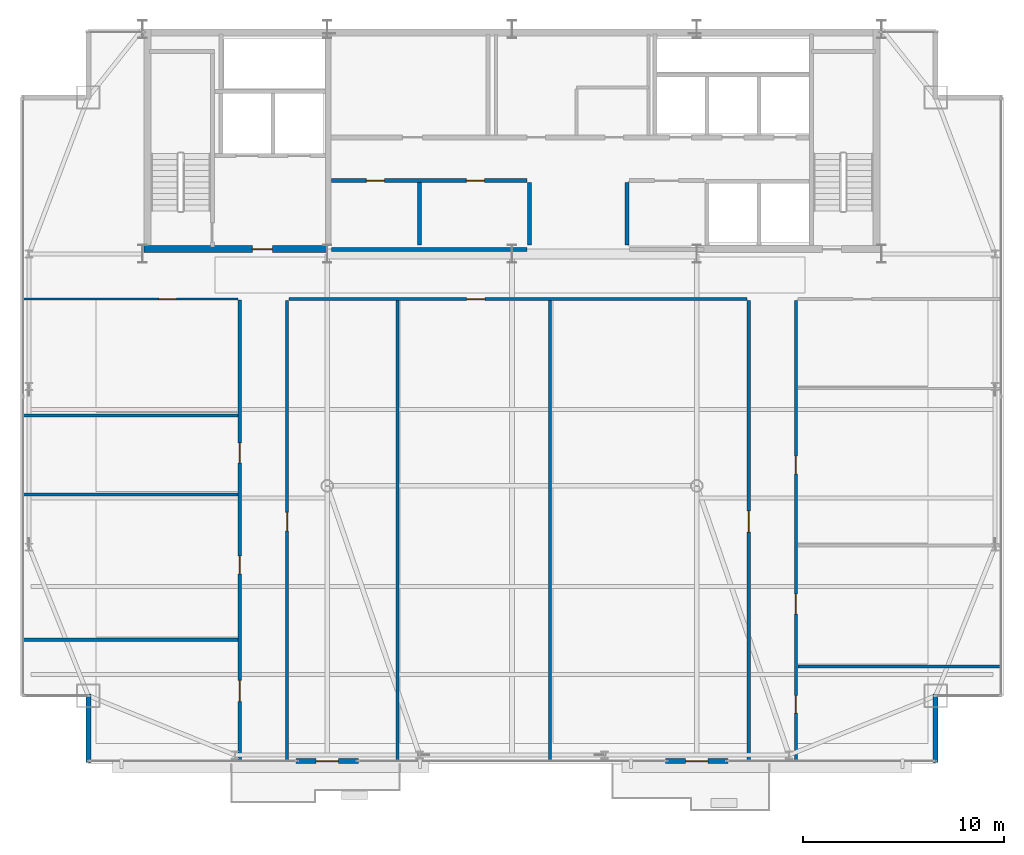
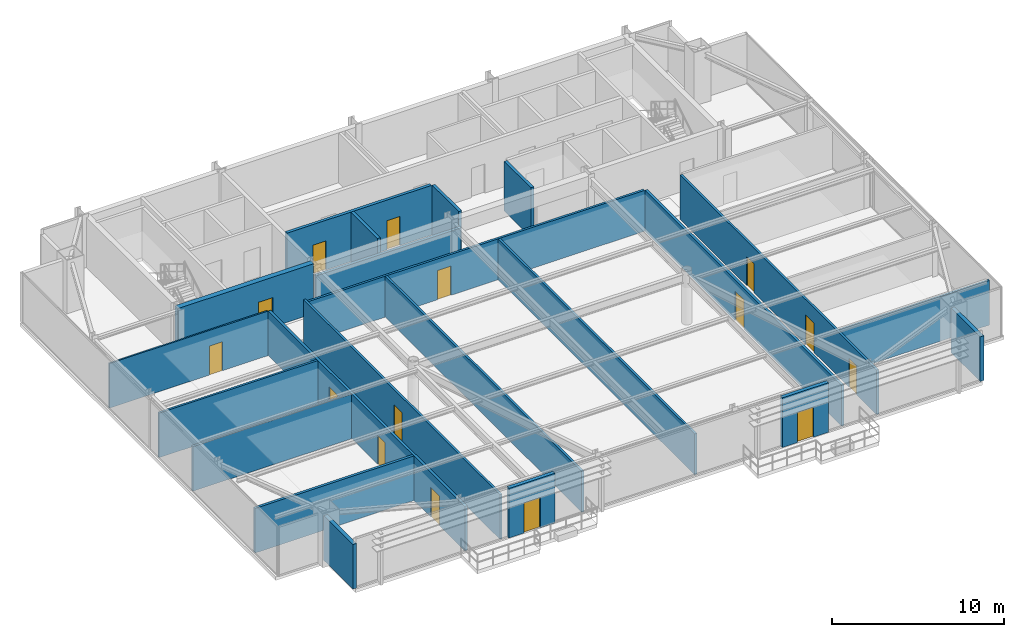
# One storey, part 26 of 30: 22 walls, 15 doors, 15 openings.
"""IFC4 building model written with IfcOpenShell, lengths in metres."""

from ifc_helpers import new_model, si_unit, direction, frame, frame_2d, origin, place, context, subcontext, project, spatial, rectangle, extrude, source, transform, mapped, material, layer, layer_set, type_object, type_shapes, element, fill, save


model = new_model("IFC4")

# Units and contexts
model_context = context("Model", 3, precision=1e-05, world=origin(), true_north=direction((0.0, 1.0)))
body_context = subcontext(model_context, "Body", "Model", "MODEL_VIEW")
ifc_project = project(units=[si_unit("LENGTHUNIT", "METRE"), si_unit("AREAUNIT", "SQUARE_METRE"), si_unit("VOLUMEUNIT", "CUBIC_METRE"), si_unit("PLANEANGLEUNIT", "RADIAN"), si_unit("MASSUNIT", "GRAM", prefix="KILO")], contexts=[model_context])

# Site, building, storey
site_placement = place(None, origin())
site = spatial("IfcSite", under=ifc_project, at=site_placement, CompositionType="ELEMENT")
building_placement = place(site_placement, origin())
building = spatial("IfcBuilding", under=site, at=building_placement, Name="Varnel Quay Broadcast Tower", CompositionType="ELEMENT")
storey_placement = place(building_placement, frame((0.0, 0.0, 211.199951171875)))
storey = spatial("IfcBuildingStorey", under=building, at=storey_placement, Name="L52", CompositionType="ELEMENT", Elevation=211.199951171875)

# Wall, opening, door
ifc_material_1 = material(Name="Concrete CSA A23.3 C50/60", Category="concrete")
ifc_layer_1 = layer(ifc_material_1, 0.35009765625, Name="Concrete CSA A23.3 C50/60")
ifc_layer_set_1 = layer_set([ifc_layer_1], Name="Concrete CSA A23.3 C50/60")
wall_type_1 = type_object("IfcWallType", Name="Wall_CoreShearInt350", PredefinedType="SHEAR", material=ifc_layer_set_1)
wall_1_placement = place(storey_placement, frame((15.669921875, 35.844970703125, 0.0), z_axis=(0.0, 0.0, 1.0), x_axis=(1.0, 0.0, 0.0)))
wall_1 = element("IfcWall", 1, at=wall_1_placement, inside=storey, type_object=wall_type_1, Name="L52 South-West Core Shear Wall", PredefinedType="SHEAR", context=body_context, shape_type="SweptSolid", body=[
    extrude(rectangle(XDim=9.130126953125, YDim=0.35009765625, at=frame_2d((4.56494140625, 0.0))), origin(), (0.0, 0.0, 1.0), 3.550048828125),
])
opening_1_placement = place(wall_1_placement, frame((5.39990234375, 0.0, 0.0)))
opening_1 = element("IfcOpeningElement", 2, at=opening_1_placement, cuts=wall_1, Name="Opening D-L52-FFL", PredefinedType="OPENING", context=body_context, shape_type="SweptSolid", body=[
    extrude(rectangle(XDim=1.0, YDim=2.10009765625, at=frame_2d((0.5, 1.050048828125))), frame((0.0, 0.18505859375, 0.0), z_axis=(0.0, -1.0, 0.0), x_axis=(1.0, 0.0, 0.0)), (0.0, 0.0, 1.0), 0.3701171875),
])
ifc_material_2 = material(Name="Insulated Fire-Rated Hollow Steel Door", Category="steel")
door_type_1 = type_object("IfcDoorType", Name="Door_FireLobby1000", OperationType="NOTDEFINED", PredefinedType="DOOR", material=ifc_material_2)
shared_shape_1 = source(origin(), body_context, "Body", "SweptSolid", [
    extrude(rectangle(XDim=1.0, YDim=2.10009765625, at=frame_2d((0.5, 1.050048828125))), frame((0.0, 0.02490234375, 0.0), z_axis=(0.0, -1.0, 0.0), x_axis=(1.0, 0.0, 0.0)), (0.0, 0.0, 1.0), 0.050048828125),
])
type_shapes(door_type_1, [shared_shape_1])
door_1_placement = place(opening_1_placement, origin())
door_1 = element("IfcDoor", 3, at=door_1_placement, inside=storey, type_object=door_type_1, Name="L52 Firefighting Lobby Door", OperationType="SINGLE_SWING_LEFT", OverallHeight=2.10009765625, OverallWidth=1.0, PredefinedType="DOOR", context=body_context, shape_type="MappedRepresentation", body=[
    mapped(shared_shape_1, transform((0.0, 0.0, 0.0), x_axis=(1.0, 0.0, 0.0), y_axis=(0.0, 1.0, 0.0), z_axis=(0.0, 0.0, 1.0), scale=1.0)),
])
fill(opening_1, door_1)

ifc_material_3 = material(Name="Precast Architectural Concrete C40/50", Category="concrete")
ifc_layer_2 = layer(ifc_material_3, 0.25, Name="Precast Architectural Concrete C40/50")
ifc_layer_set_2 = layer_set([ifc_layer_2], Name="Precast Architectural Concrete C40/50")
wall_type_2 = type_object("IfcWallType", Name="Wall_ExtTerrace250", PredefinedType="SOLIDWALL", material=ifc_layer_set_2)
wall_2_placement = place(storey_placement, frame((23.25, 10.35009765625, 0.0), z_axis=(0.0, 0.0, 1.0), x_axis=(1.0, 0.0, 0.0)))
wall_2 = element("IfcWall", 4, at=wall_2_placement, inside=storey, type_object=wall_type_2, Name="L52 Terrace Access Wall 1", PredefinedType="SOLIDWALL", context=body_context, shape_type="SweptSolid", body=[
    extrude(rectangle(XDim=3.10009765625, YDim=0.25, at=frame_2d((1.550048828125, 0.0))), origin(), (0.0, 0.0, 1.0), 3.530029296875),
])
opening_2_placement = place(wall_2_placement, frame((1.0, 0.0, 0.0)))
opening_2 = element("IfcOpeningElement", 5, at=opening_2_placement, cuts=wall_2, Name="Opening TD-521", PredefinedType="OPENING", context=body_context, shape_type="SweptSolid", body=[
    extrude(rectangle(XDim=1.10009765625, YDim=2.14990234375, at=frame_2d((0.550048828125, 1.074951171875))), frame((0.0, 0.135009765625, 0.0), z_axis=(0.0, -1.0, 0.0), x_axis=(1.0, 0.0, 0.0)), (0.0, 0.0, 1.0), 0.27001953125),
])
ifc_material_4 = material(Name="Anodised Bronze Aluminium 6063-T6", Category="aluminium")
door_type_2 = type_object("IfcDoorType", Name="Door_ExtTerrace1100", OperationType="NOTDEFINED", PredefinedType="DOOR", material=ifc_material_4)
shared_shape_2 = source(origin(), body_context, "Body", "SweptSolid", [
    extrude(rectangle(XDim=1.10009765625, YDim=2.14990234375, at=frame_2d((0.550048828125, 1.074951171875))), frame((0.0, 0.02490234375, 0.0), z_axis=(0.0, -1.0, 0.0), x_axis=(1.0, 0.0, 0.0)), (0.0, 0.0, 1.0), 0.050048828125),
])
type_shapes(door_type_2, [shared_shape_2])
door_2_placement = place(opening_2_placement, frame((1.10009765625, 0.0, 0.0), z_axis=(0.0, 0.0, 1.0), x_axis=(-1.0, 0.0, 0.0)))
door_2 = element("IfcDoor", 6, at=door_2_placement, inside=storey, type_object=door_type_2, Name="L52 Terrace Door TD-521", OperationType="SINGLE_SWING_LEFT", OverallHeight=2.14990234375, OverallWidth=1.10009765625, PredefinedType="DOOR", context=body_context, shape_type="MappedRepresentation", body=[
    mapped(shared_shape_2, transform((0.0, 0.0, 0.0), x_axis=(1.0, 0.0, 0.0), y_axis=(0.0, 1.0, 0.0), z_axis=(0.0, 0.0, 1.0), scale=1.0)),
])
fill(opening_2, door_2)

wall_3_placement = place(storey_placement, frame((41.64990234375, 10.35009765625, 0.0), z_axis=(0.0, 0.0, 1.0), x_axis=(1.0, 0.0, 0.0)))
wall_3 = element("IfcWall", 7, at=wall_3_placement, inside=storey, type_object=wall_type_2, Name="L52 Terrace Access Wall 2", PredefinedType="SOLIDWALL", context=body_context, shape_type="SweptSolid", body=[
    extrude(rectangle(XDim=3.10009765625, YDim=0.25, at=frame_2d((1.550048828125, 0.0))), origin(), (0.0, 0.0, 1.0), 3.530029296875),
])
opening_3_placement = place(wall_3_placement, frame((1.0, 0.0, 0.0)))
opening_3 = element("IfcOpeningElement", 8, at=opening_3_placement, cuts=wall_3, Name="Opening TD-522", PredefinedType="OPENING", context=body_context, shape_type="SweptSolid", body=[
    extrude(rectangle(XDim=1.10009765625, YDim=2.14990234375, at=frame_2d((0.550048828125, 1.074951171875))), frame((0.0, 0.135009765625, 0.0), z_axis=(0.0, -1.0, 0.0), x_axis=(1.0, 0.0, 0.0)), (0.0, 0.0, 1.0), 0.27001953125),
])
door_3_placement = place(opening_3_placement, frame((1.10009765625, 0.0, 0.0), z_axis=(0.0, 0.0, 1.0), x_axis=(-1.0, 0.0, 0.0)))
door_3 = element("IfcDoor", 9, at=door_3_placement, inside=storey, type_object=door_type_2, Name="L52 Terrace Door TD-522", OperationType="SINGLE_SWING_RIGHT", OverallHeight=2.14990234375, OverallWidth=1.10009765625, PredefinedType="DOOR", context=body_context, shape_type="MappedRepresentation", body=[
    mapped(shared_shape_2, transform((0.0, 0.0, 0.0), x_axis=(1.0, 0.0, 0.0), y_axis=(0.0, 1.0, 0.0), z_axis=(0.0, 0.0, 1.0), scale=1.0)),
])
fill(opening_3, door_3)

# Walls
for number, where, z_axis, x_axis, name in (
    (10, (12.89990234375, 10.280029296875, 0.0), (0.0, 0.0, 1.0), (0.0, 1.0, 0.0), "L52 Mega-Column Notch Cladding Wall NSW2"),
    (11, (55.10009765625, 10.280029296875, 0.0), (0.0, 0.0, 1.0), (0.0, 1.0, 0.0), "L52 Mega-Column Notch Cladding Wall NSE2"),
):
    element("IfcWall", number, at=place(storey_placement, frame(where, z_axis=z_axis, x_axis=x_axis)), inside=storey, type_object=wall_type_2, Name=name, PredefinedType="SOLIDWALL", context=body_context, shape_type="SweptSolid", body=[
        extrude(rectangle(XDim=3.39990234375, YDim=0.25, at=frame_2d((1.699951171875, 0.0))), origin(), (0.0, 0.0, 1.0), 3.171142578125),
    ])
ifc_material_5 = material(Name="Concrete Blockwork Fire Enclosure C40/50", Category="masonry")
ifc_layer_3 = layer(ifc_material_5, 0.199951171875, Name="Concrete Blockwork Fire Enclosure C40/50")
ifc_layer_set_3 = layer_set([ifc_layer_3], Name="Concrete Blockwork Fire Enclosure C40/50")
wall_type_3 = type_object("IfcWallType", Name="Wall_FireShaft200", PredefinedType="SOLIDWALL", material=ifc_layer_set_3)
wall_4_placement = place(storey_placement, frame((39.72509765625, 36.050048828125, 0.0), z_axis=(0.0, 0.0, 1.0), x_axis=(0.0, 1.0, 0.0)))
element("IfcWall", 12, at=wall_4_placement, inside=storey, type_object=wall_type_3, Name="L52 Electrical Sub-Distribution Closet Partition 7", PredefinedType="SOLIDWALL", context=body_context, shape_type="SweptSolid", body=[
    extrude(rectangle(XDim=3.099853515625, YDim=0.199951171875, at=frame_2d((1.5498046875, 0.0))), origin(), (0.0, 0.0, 1.0), 3.530029296875),
])

# Wall, opening, door
ifc_material_6 = material(Name="Steel-Stud Fire-Rated Acoustic Gypsum Partition Assembly", Category="steel")
ifc_layer_4 = layer(ifc_material_6, 0.10498046875, Name="Steel-Stud Fire-Rated Acoustic Gypsum Partition Assembly")
ifc_layer_set_4 = layer_set([ifc_layer_4], Name="Steel-Stud Fire-Rated Acoustic Gypsum Partition Assembly")
wall_type_4 = type_object("IfcWallType", Name="Wall_Partition105", PredefinedType="PARTITIONING", material=ifc_layer_set_4)
wall_5_placement = place(storey_placement, frame((9.679931640625, 33.35009765625, 0.0), z_axis=(0.0, 0.0, 1.0), x_axis=(1.0, 0.0, 0.0)))
wall_5 = element("IfcWall", 13, at=wall_5_placement, inside=storey, type_object=wall_type_4, Name="L52 Camera Locker Store 4 Partition 12", PredefinedType="PARTITIONING", context=body_context, shape_type="SweptSolid", body=[
    extrude(rectangle(XDim=10.670166015625, YDim=0.10498046875, at=frame_2d((5.3349609375, 0.0))), origin(), (0.0, 0.0, 1.0), 3.171142578125),
])
opening_4_placement = place(wall_5_placement, frame((6.72998046875, 0.0, 0.0)))
opening_4 = element("IfcOpeningElement", 14, at=opening_4_placement, cuts=wall_5, Name="Opening D-L52-07", PredefinedType="OPENING", context=body_context, shape_type="SweptSolid", body=[
    extrude(rectangle(XDim=0.8798828125, YDim=2.06005859375, at=frame_2d((0.43994140625, 1.030029296875))), frame((0.0, 0.0625, 0.0), z_axis=(0.0, -1.0, 0.0), x_axis=(1.0, 0.0, 0.0)), (0.0, 0.0, 1.0), 0.125),
])
ifc_material_7 = material(Name="Solid-Core Fire-Rated Acoustic Oak Veneer Door", Category="wood")
door_type_3 = type_object("IfcDoorType", Name="Door_Booth880", OperationType="NOTDEFINED", PredefinedType="DOOR", material=ifc_material_7)
shared_shape_3 = source(origin(), body_context, "Body", "SweptSolid", [
    extrude(rectangle(XDim=0.8798828125, YDim=2.06005859375, at=frame_2d((0.43994140625, 1.030029296875))), frame((0.0, 0.02490234375, 0.0), z_axis=(0.0, -1.0, 0.0), x_axis=(1.0, 0.0, 0.0)), (0.0, 0.0, 1.0), 0.050048828125),
])
type_shapes(door_type_3, [shared_shape_3])
door_4_placement = place(opening_4_placement, frame((0.8798828125, 0.0, 0.0), z_axis=(0.0, 0.0, 1.0), x_axis=(-1.0, 0.0, 0.0)))
door_4 = element("IfcDoor", 15, at=door_4_placement, inside=storey, type_object=door_type_3, Name="L52 Camera Locker Store 4 Door D-L52-07", OperationType="SINGLE_SWING_RIGHT", OverallHeight=2.06005859375, OverallWidth=0.8798828125, PredefinedType="DOOR", context=body_context, shape_type="MappedRepresentation", body=[
    mapped(shared_shape_3, transform((0.0, 0.0, 0.0), x_axis=(1.0, 0.0, 0.0), y_axis=(0.0, 1.0, 0.0), z_axis=(0.0, 0.0, 1.0), scale=1.0)),
])
fill(opening_4, door_4)

# Walls
ifc_layer_5 = layer(ifc_material_6, 0.139892578125, Name="Steel-Stud Fire-Rated Acoustic Gypsum Partition Assembly")
ifc_layer_set_5 = layer_set([ifc_layer_5], Name="Steel-Stud Fire-Rated Acoustic Gypsum Partition Assembly")
wall_type_5 = type_object("IfcWallType", Name="Wall_Partition140", PredefinedType="PARTITIONING", material=ifc_layer_set_5)
wall_6_placement = place(storey_placement, frame((9.679931640625, 27.56005859375, 0.0), z_axis=(0.0, 0.0, 1.0), x_axis=(1.0, 0.0, 0.0)))
element("IfcWall", 16, at=wall_6_placement, inside=storey, type_object=wall_type_5, Name="L52 Press Green Lounge 3 Partition 11", PredefinedType="PARTITIONING", context=body_context, shape_type="SweptSolid", body=[
    extrude(rectangle(XDim=10.670166015625, YDim=0.139892578125, at=frame_2d((5.3349609375, 0.0))), origin(), (0.0, 0.0, 1.0), 3.171142578125),
])
ifc_layer_6 = layer(ifc_material_6, 0.14990234375, Name="Steel-Stud Fire-Rated Acoustic Gypsum Partition Assembly")
ifc_layer_set_6 = layer_set([ifc_layer_6], Name="Steel-Stud Fire-Rated Acoustic Gypsum Partition Assembly")
wall_type_6 = type_object("IfcWallType", Name="Wall_Partition150", PredefinedType="PARTITIONING", material=ifc_layer_set_6)
wall_7_placement = place(storey_placement, frame((9.679931640625, 23.6298828125, 0.0), z_axis=(0.0, 0.0, 1.0), x_axis=(1.0, 0.0, 0.0)))
element("IfcWall", 17, at=wall_7_placement, inside=storey, type_object=wall_type_6, Name="L52 Break Kitchen 2 Partition 10", PredefinedType="PARTITIONING", context=body_context, shape_type="SweptSolid", body=[
    extrude(rectangle(XDim=10.670166015625, YDim=0.14990234375, at=frame_2d((5.3349609375, 0.0))), origin(), (0.0, 0.0, 1.0), 3.171142578125),
])
wall_8_placement = place(storey_placement, frame((28.300048828125, 10.3798828125, 0.0), z_axis=(0.0, 0.0, 1.0), x_axis=(0.0, 1.0, 0.0)))
element("IfcWall", 18, at=wall_8_placement, inside=storey, type_object=wall_type_6, Name="L52 Broadcast Newsroom 5 Partition 13", PredefinedType="PARTITIONING", context=body_context, shape_type="SweptSolid", body=[
    extrude(rectangle(XDim=22.89501953125, YDim=0.14990234375, at=frame_2d((11.447509765625, 0.0))), origin(), (0.0, 0.0, 1.0), 2.907958984375),
])

# Wall, opening, door
wall_9_placement = place(storey_placement, frame((22.89990234375, 33.35009765625, 0.0), z_axis=(0.0, 0.0, 1.0), x_axis=(1.0, 0.0, 0.0)))
wall_9 = element("IfcWall", 19, at=wall_9_placement, inside=storey, type_object=wall_type_6, Name="L52 Broadcast Newsroom 5 Partition 14", PredefinedType="PARTITIONING", context=body_context, shape_type="SweptSolid", body=[
    extrude(rectangle(XDim=22.7900390625, YDim=0.14990234375, at=frame_2d((11.39501953125, 0.0))), origin(), (0.0, 0.0, 1.0), 2.907958984375),
])
opening_5_placement = place(wall_9_placement, frame((8.840087890625, 0.0, 0.0)))
opening_5 = element("IfcOpeningElement", 20, at=opening_5_placement, cuts=wall_9, Name="Opening D-L52-09", PredefinedType="OPENING", context=body_context, shape_type="SweptSolid", body=[
    extrude(rectangle(XDim=0.919921875, YDim=2.080078125, at=frame_2d((0.4599609375, 1.0400390625))), frame((0.0, 0.0849609375, 0.0), z_axis=(0.0, -1.0, 0.0), x_axis=(1.0, 0.0, 0.0)), (0.0, 0.0, 1.0), 0.169921875),
])
door_type_4 = type_object("IfcDoorType", Name="Door_Office920", OperationType="NOTDEFINED", PredefinedType="DOOR", material=ifc_material_7)
shared_shape_4 = source(origin(), body_context, "Body", "SweptSolid", [
    extrude(rectangle(XDim=0.919921875, YDim=2.080078125, at=frame_2d((0.4599609375, 1.0400390625))), frame((0.0, 0.02490234375, 0.0), z_axis=(0.0, -1.0, 0.0), x_axis=(1.0, 0.0, 0.0)), (0.0, 0.0, 1.0), 0.050048828125),
])
type_shapes(door_type_4, [shared_shape_4])
door_5_placement = place(opening_5_placement, frame((0.919921875, 0.0, 0.0), z_axis=(0.0, 0.0, 1.0), x_axis=(-1.0, 0.0, 0.0)))
door_5 = element("IfcDoor", 21, at=door_5_placement, inside=storey, type_object=door_type_4, Name="L52 Assignment Desk 6 Door D-L52-09", OperationType="SINGLE_SWING_RIGHT", OverallHeight=2.080078125, OverallWidth=0.919921875, PredefinedType="DOOR", context=body_context, shape_type="MappedRepresentation", body=[
    mapped(shared_shape_4, transform((0.0, 0.0, 0.0), x_axis=(1.0, 0.0, 0.0), y_axis=(0.0, 1.0, 0.0), z_axis=(0.0, 0.0, 1.0), scale=1.0)),
])
fill(opening_5, door_5)

wall_10_placement = place(storey_placement, frame((22.800048828125, 10.3798828125, 0.0), z_axis=(0.0, 0.0, 1.0), x_axis=(0.0, 1.0, 0.0)))
wall_10 = element("IfcWall", 22, at=wall_10_placement, inside=storey, type_object=wall_type_6, Name="L52 Broadcast Newsroom 5 Partition 15", PredefinedType="PARTITIONING", context=body_context, shape_type="SweptSolid", body=[
    extrude(rectangle(XDim=22.89501953125, YDim=0.14990234375, at=frame_2d((11.447509765625, 0.0))), origin(), (0.0, 0.0, 1.0), 3.171142578125),
])
opening_6_placement = place(wall_10_placement, frame((11.429931640625, 0.0, 0.0)))
opening_6 = element("IfcOpeningElement", 23, at=opening_6_placement, cuts=wall_10, Name="Opening D-L52-08", PredefinedType="OPENING", context=body_context, shape_type="SweptSolid", body=[
    extrude(rectangle(XDim=0.919921875, YDim=2.080078125, at=frame_2d((0.4599609375, 1.0400390625))), frame((0.0, 0.0849609375, 0.0), z_axis=(0.0, -1.0, 0.0), x_axis=(1.0, 0.0, 0.0)), (0.0, 0.0, 1.0), 0.169921875),
])
door_6_placement = place(opening_6_placement, frame((0.919921875, 0.0, 0.0), z_axis=(0.0, 0.0, 1.0), x_axis=(-1.0, 0.0, 0.0)))
door_6 = element("IfcDoor", 24, at=door_6_placement, inside=storey, type_object=door_type_4, Name="L52 Broadcast Newsroom 5 Door D-L52-08", OperationType="SINGLE_SWING_LEFT", OverallHeight=2.080078125, OverallWidth=0.919921875, PredefinedType="DOOR", context=body_context, shape_type="MappedRepresentation", body=[
    mapped(shared_shape_4, transform((0.0, 0.0, 0.0), x_axis=(1.0, 0.0, 0.0), y_axis=(0.0, 1.0, 0.0), z_axis=(0.0, 0.0, 1.0), scale=1.0)),
])
fill(opening_6, door_6)

# Walls
wall_11_placement = place(storey_placement, frame((35.89990234375, 10.3798828125, 0.0), z_axis=(0.0, 0.0, 1.0), x_axis=(0.0, 1.0, 0.0)))
element("IfcWall", 25, at=wall_11_placement, inside=storey, type_object=wall_type_6, Name="L52 Assignment Desk 6 Partition 16", PredefinedType="PARTITIONING", context=body_context, shape_type="SweptSolid", body=[
    extrude(rectangle(XDim=22.89501953125, YDim=0.14990234375, at=frame_2d((11.447509765625, 0.0))), origin(), (0.0, 0.0, 1.0), 2.907958984375),
])
wall_12_placement = place(storey_placement, frame((48.239990234375, 15.050048828125, 0.0), z_axis=(0.0, 0.0, 1.0), x_axis=(1.0, 0.0, 0.0)))
element("IfcWall", 26, at=wall_12_placement, inside=storey, type_object=wall_type_6, Name="L52 Break Kitchen 8 Partition 18", PredefinedType="PARTITIONING", context=body_context, shape_type="SweptSolid", body=[
    extrude(rectangle(XDim=10.080078125, YDim=0.14990234375, at=frame_2d((5.0400390625, 0.0))), origin(), (0.0, 0.0, 1.0), 3.171142578125),
])

# Wall, openings, doors
wall_13_placement = place(storey_placement, frame((48.139892578125, 10.3798828125, 0.0), z_axis=(0.0, 0.0, 1.0), x_axis=(0.0, 1.0, 0.0)))
wall_13 = element("IfcWall", 27, at=wall_13_placement, inside=storey, type_object=wall_type_6, Name="L52 Break Kitchen 8 Partition 19", PredefinedType="PARTITIONING", context=body_context, shape_type="SweptSolid", body=[
    extrude(rectangle(XDim=22.89501953125, YDim=0.14990234375, at=frame_2d((11.447509765625, 0.0))), origin(), (0.0, 0.0, 1.0), 3.171142578125),
])
opening_7_placement = place(wall_13_placement, frame((2.35009765625, 0.0, 0.0)))
opening_7 = element("IfcOpeningElement", 28, at=opening_7_placement, cuts=wall_13, Name="Opening D-L52-11", PredefinedType="OPENING", context=body_context, shape_type="SweptSolid", body=[
    extrude(rectangle(XDim=0.8798828125, YDim=2.06005859375, at=frame_2d((0.43994140625, 1.030029296875))), frame((0.0, 0.0849609375, 0.0), z_axis=(0.0, -1.0, 0.0), x_axis=(1.0, 0.0, 0.0)), (0.0, 0.0, 1.0), 0.169921875),
])
opening_8_placement = place(wall_13_placement, frame((7.284912109375, 0.0, 0.0)))
opening_8 = element("IfcOpeningElement", 29, at=opening_8_placement, cuts=wall_13, Name="Opening D-L52-12", PredefinedType="OPENING", context=body_context, shape_type="SweptSolid", body=[
    extrude(rectangle(XDim=1.0, YDim=2.10009765625, at=frame_2d((0.5, 1.050048828125))), frame((0.0, 0.0849609375, 0.0), z_axis=(0.0, -1.0, 0.0), x_axis=(1.0, 0.0, 0.0)), (0.0, 0.0, 1.0), 0.169921875),
])
opening_9_placement = place(wall_13_placement, frame((14.27001953125, 0.0, 0.0)))
opening_9 = element("IfcOpeningElement", 30, at=opening_9_placement, cuts=wall_13, Name="Opening D-L52-13", PredefinedType="OPENING", context=body_context, shape_type="SweptSolid", body=[
    extrude(rectangle(XDim=0.8798828125, YDim=2.06005859375, at=frame_2d((0.43994140625, 1.030029296875))), frame((0.0, 0.0849609375, 0.0), z_axis=(0.0, -1.0, 0.0), x_axis=(1.0, 0.0, 0.0)), (0.0, 0.0, 1.0), 0.169921875),
])
door_7_placement = place(opening_7_placement, frame((0.8798828125, 0.0, 0.0), z_axis=(0.0, 0.0, 1.0), x_axis=(-1.0, 0.0, 0.0)))
door_7 = element("IfcDoor", 31, at=door_7_placement, inside=storey, type_object=door_type_3, Name="L52 Break Kitchen 8 Door D-L52-11", OperationType="SINGLE_SWING_RIGHT", OverallHeight=2.06005859375, OverallWidth=0.8798828125, PredefinedType="DOOR", context=body_context, shape_type="MappedRepresentation", body=[
    mapped(shared_shape_3, transform((0.0, 0.0, 0.0), x_axis=(1.0, 0.0, 0.0), y_axis=(0.0, 1.0, 0.0), z_axis=(0.0, 0.0, 1.0), scale=1.0)),
])
fill(opening_7, door_7)
door_8_placement = place(opening_9_placement, frame((0.8798828125, 0.0, 0.0), z_axis=(0.0, 0.0, 1.0), x_axis=(-1.0, 0.0, 0.0)))
door_8 = element("IfcDoor", 32, at=door_8_placement, inside=storey, type_object=door_type_3, Name="L52 Camera Locker Store 10 Door D-L52-13", OperationType="SINGLE_SWING_RIGHT", OverallHeight=2.06005859375, OverallWidth=0.8798828125, PredefinedType="DOOR", context=body_context, shape_type="MappedRepresentation", body=[
    mapped(shared_shape_3, transform((0.0, 0.0, 0.0), x_axis=(1.0, 0.0, 0.0), y_axis=(0.0, 1.0, 0.0), z_axis=(0.0, 0.0, 1.0), scale=1.0)),
])
fill(opening_9, door_8)
door_type_5 = type_object("IfcDoorType", Name="Door_Exec1000", OperationType="NOTDEFINED", PredefinedType="DOOR", material=ifc_material_7)
shared_shape_5 = source(origin(), body_context, "Body", "SweptSolid", [
    extrude(rectangle(XDim=1.0, YDim=2.10009765625, at=frame_2d((0.5, 1.050048828125))), frame((0.0, 0.02490234375, 0.0), z_axis=(0.0, -1.0, 0.0), x_axis=(1.0, 0.0, 0.0)), (0.0, 0.0, 1.0), 0.050048828125),
])
type_shapes(door_type_5, [shared_shape_5])
door_9_placement = place(opening_8_placement, frame((1.0, 0.0, 0.0), z_axis=(0.0, 0.0, 1.0), x_axis=(-1.0, 0.0, 0.0)))
door_9 = element("IfcDoor", 33, at=door_9_placement, inside=storey, type_object=door_type_5, Name="L52 Press Green Lounge 9 Door D-L52-12", OperationType="SINGLE_SWING_LEFT", OverallHeight=2.10009765625, OverallWidth=1.0, PredefinedType="DOOR", context=body_context, shape_type="MappedRepresentation", body=[
    mapped(shared_shape_5, transform((0.0, 0.0, 0.0), x_axis=(1.0, 0.0, 0.0), y_axis=(0.0, 1.0, 0.0), z_axis=(0.0, 0.0, 1.0), scale=1.0)),
])
fill(opening_8, door_9)

ifc_layer_7 = layer(ifc_material_6, 0.175048828125, Name="Steel-Stud Fire-Rated Acoustic Gypsum Partition Assembly")
ifc_layer_set_7 = layer_set([ifc_layer_7], Name="Steel-Stud Fire-Rated Acoustic Gypsum Partition Assembly")
wall_type_7 = type_object("IfcWallType", Name="Wall_Partition175", PredefinedType="PARTITIONING", material=ifc_layer_set_7)
wall_14_placement = place(storey_placement, frame((20.449951171875, 10.3798828125, 0.0), z_axis=(0.0, 0.0, 1.0), x_axis=(0.0, 1.0, 0.0)))
wall_14 = element("IfcWall", 34, at=wall_14_placement, inside=storey, type_object=wall_type_7, Name="L52 Editorial Boardroom 1 Partition 8", PredefinedType="PARTITIONING", context=body_context, shape_type="SweptSolid", body=[
    extrude(rectangle(XDim=22.917236328125, YDim=0.175048828125, at=frame_2d((11.45849609375, 0.0))), origin(), (0.0, 0.0, 1.0), 3.171142578125),
])
opening_10_placement = place(wall_14_placement, frame((2.93505859375, 0.0, 0.0)))
opening_10 = element("IfcOpeningElement", 35, at=opening_10_placement, cuts=wall_14, Name="Opening D-L52-04", PredefinedType="OPENING", context=body_context, shape_type="SweptSolid", body=[
    extrude(rectangle(XDim=1.050048828125, YDim=2.10009765625, at=frame_2d((0.52490234375, 1.050048828125))), frame((0.0, 0.09765625, 0.0), z_axis=(0.0, -1.0, 0.0), x_axis=(1.0, 0.0, 0.0)), (0.0, 0.0, 1.0), 0.195068359375),
])
opening_11_placement = place(wall_14_placement, frame((9.2900390625, 0.0, 0.0)))
opening_11 = element("IfcOpeningElement", 36, at=opening_11_placement, cuts=wall_14, Name="Opening D-L52-05", PredefinedType="OPENING", context=body_context, shape_type="SweptSolid", body=[
    extrude(rectangle(XDim=0.8798828125, YDim=2.06005859375, at=frame_2d((0.43994140625, 1.030029296875))), frame((0.0, 0.09765625, 0.0), z_axis=(0.0, -1.0, 0.0), x_axis=(1.0, 0.0, 0.0)), (0.0, 0.0, 1.0), 0.195068359375),
])
opening_12_placement = place(wall_14_placement, frame((14.81494140625, 0.0, 0.0)))
opening_12 = element("IfcOpeningElement", 37, at=opening_12_placement, cuts=wall_14, Name="Opening D-L52-06", PredefinedType="OPENING", context=body_context, shape_type="SweptSolid", body=[
    extrude(rectangle(XDim=1.0, YDim=2.10009765625, at=frame_2d((0.5, 1.050048828125))), frame((0.0, 0.09765625, 0.0), z_axis=(0.0, -1.0, 0.0), x_axis=(1.0, 0.0, 0.0)), (0.0, 0.0, 1.0), 0.195068359375),
])
door_10_placement = place(opening_11_placement, origin())
door_10 = element("IfcDoor", 38, at=door_10_placement, inside=storey, type_object=door_type_3, Name="L52 Break Kitchen 2 Door D-L52-05", OperationType="SINGLE_SWING_RIGHT", OverallHeight=2.06005859375, OverallWidth=0.8798828125, PredefinedType="DOOR", context=body_context, shape_type="MappedRepresentation", body=[
    mapped(shared_shape_3, transform((0.0, 0.0, 0.0), x_axis=(1.0, 0.0, 0.0), y_axis=(0.0, 1.0, 0.0), z_axis=(0.0, 0.0, 1.0), scale=1.0)),
])
fill(opening_11, door_10)
door_11_placement = place(opening_12_placement, origin())
door_11 = element("IfcDoor", 39, at=door_11_placement, inside=storey, type_object=door_type_5, Name="L52 Press Green Lounge 3 Door D-L52-06", OperationType="SINGLE_SWING_LEFT", OverallHeight=2.10009765625, OverallWidth=1.0, PredefinedType="DOOR", context=body_context, shape_type="MappedRepresentation", body=[
    mapped(shared_shape_5, transform((0.0, 0.0, 0.0), x_axis=(1.0, 0.0, 0.0), y_axis=(0.0, 1.0, 0.0), z_axis=(0.0, 0.0, 1.0), scale=1.0)),
])
fill(opening_12, door_11)
door_type_6 = type_object("IfcDoorType", Name="Door_Meeting1050", OperationType="NOTDEFINED", PredefinedType="DOOR", material=ifc_material_7)
shared_shape_6 = source(origin(), body_context, "Body", "SweptSolid", [
    extrude(rectangle(XDim=1.050048828125, YDim=2.10009765625, at=frame_2d((0.52490234375, 1.050048828125))), frame((0.0, 0.02490234375, 0.0), z_axis=(0.0, -1.0, 0.0), x_axis=(1.0, 0.0, 0.0)), (0.0, 0.0, 1.0), 0.050048828125),
])
type_shapes(door_type_6, [shared_shape_6])
door_12_placement = place(opening_10_placement, origin())
door_12 = element("IfcDoor", 40, at=door_12_placement, inside=storey, type_object=door_type_6, Name="L52 Editorial Boardroom 1 Door D-L52-04", OperationType="SINGLE_SWING_LEFT", OverallHeight=2.10009765625, OverallWidth=1.050048828125, PredefinedType="DOOR", context=body_context, shape_type="MappedRepresentation", body=[
    mapped(shared_shape_6, transform((0.0, 0.0, 0.0), x_axis=(1.0, 0.0, 0.0), y_axis=(0.0, 1.0, 0.0), z_axis=(0.0, 0.0, 1.0), scale=1.0)),
])
fill(opening_10, door_12)

# Wall
wall_15_placement = place(storey_placement, frame((9.679931640625, 16.389892578125, 0.0), z_axis=(0.0, 0.0, 1.0), x_axis=(1.0, 0.0, 0.0)))
element("IfcWall", 41, at=wall_15_placement, inside=storey, type_object=wall_type_7, Name="L52 Editorial Boardroom 1 Partition 9", PredefinedType="PARTITIONING", context=body_context, shape_type="SweptSolid", body=[
    extrude(rectangle(XDim=10.670166015625, YDim=0.175048828125, at=frame_2d((5.3349609375, 0.0))), origin(), (0.0, 0.0, 1.0), 3.171142578125),
])

# Wall, opening, door
wall_16_placement = place(storey_placement, frame((45.7900390625, 10.3798828125, 0.0), z_axis=(0.0, 0.0, 1.0), x_axis=(0.0, 1.0, 0.0)))
wall_16 = element("IfcWall", 42, at=wall_16_placement, inside=storey, type_object=wall_type_7, Name="L52 Editorial Boardroom 7 Partition 17", PredefinedType="PARTITIONING", context=body_context, shape_type="SweptSolid", body=[
    extrude(rectangle(XDim=22.89501953125, YDim=0.175048828125, at=frame_2d((11.447509765625, 0.0))), origin(), (0.0, 0.0, 1.0), 2.907958984375),
])
opening_13_placement = place(wall_16_placement, frame((11.364990234375, 0.0, 0.0)))
opening_13 = element("IfcOpeningElement", 43, at=opening_13_placement, cuts=wall_16, Name="Opening D-L52-10", PredefinedType="OPENING", context=body_context, shape_type="SweptSolid", body=[
    extrude(rectangle(XDim=1.050048828125, YDim=2.10009765625, at=frame_2d((0.52490234375, 1.050048828125))), frame((0.0, 0.09765625, 0.0), z_axis=(0.0, -1.0, 0.0), x_axis=(1.0, 0.0, 0.0)), (0.0, 0.0, 1.0), 0.195068359375),
])
door_13_placement = place(opening_13_placement, origin())
door_13 = element("IfcDoor", 44, at=door_13_placement, inside=storey, type_object=door_type_6, Name="L52 Editorial Boardroom 7 Door D-L52-10", OperationType="SINGLE_SWING_LEFT", OverallHeight=2.10009765625, OverallWidth=1.050048828125, PredefinedType="DOOR", context=body_context, shape_type="MappedRepresentation", body=[
    mapped(shared_shape_6, transform((0.0, 0.0, 0.0), x_axis=(1.0, 0.0, 0.0), y_axis=(0.0, 1.0, 0.0), z_axis=(0.0, 0.0, 1.0), scale=1.0)),
])
fill(opening_13, door_13)

# Walls
ifc_material_8 = material(Name="Fire-Rated Moisture-Resistant Plumbing Chase Partition")
ifc_layer_8 = layer(ifc_material_8, 0.199951171875, Name="Fire-Rated Moisture-Resistant Plumbing Chase Partition")
ifc_layer_set_8 = layer_set([ifc_layer_8], Name="Fire-Rated Moisture-Resistant Plumbing Chase Partition")
wall_type_8 = type_object("IfcWallType", Name="Wall_Plumbing200", PredefinedType="PLUMBINGWALL", material=ifc_layer_set_8)
wall_17_placement = place(storey_placement, frame((25.0, 35.824951171875, 0.0), z_axis=(0.0, 0.0, 1.0), x_axis=(1.0, 0.0, 0.0)))
element("IfcWall", 45, at=wall_17_placement, inside=storey, type_object=wall_type_8, Name="L52 Accessible Washroom Partition 1", PredefinedType="PLUMBINGWALL", context=body_context, shape_type="SweptSolid", body=[
    extrude(rectangle(XDim=9.75, YDim=0.199951171875, at=frame_2d((4.875, 0.0))), origin(), (0.0, 0.0, 1.0), 2.574951171875),
])
wall_18_placement = place(storey_placement, frame((29.39990234375, 36.050048828125, 0.0), z_axis=(0.0, 0.0, 1.0), x_axis=(0.0, 1.0, 0.0)))
element("IfcWall", 46, at=wall_18_placement, inside=storey, type_object=wall_type_8, Name="L52 Accessible Washroom Partition 2", PredefinedType="PLUMBINGWALL", context=body_context, shape_type="SweptSolid", body=[
    extrude(rectangle(XDim=3.099853515625, YDim=0.199951171875, at=frame_2d((1.5498046875, 0.0))), origin(), (0.0, 0.0, 1.0), 3.530029296875),
])

# Wall, openings, doors
wall_19_placement = place(storey_placement, frame((25.0, 39.25, 0.0), z_axis=(0.0, 0.0, 1.0), x_axis=(1.0, 0.0, 0.0)))
wall_19 = element("IfcWall", 47, at=wall_19_placement, inside=storey, type_object=wall_type_8, Name="L52 Accessible Washroom Partition 3", PredefinedType="PLUMBINGWALL", context=body_context, shape_type="SweptSolid", body=[
    extrude(rectangle(XDim=9.75, YDim=0.199951171875, at=frame_2d((4.875, 0.0))), origin(), (0.0, 0.0, 1.0), 3.530029296875),
])
opening_14_placement = place(wall_19_placement, frame((1.75, 0.0, 0.0)))
opening_14 = element("IfcOpeningElement", 48, at=opening_14_placement, cuts=wall_19, Name="Opening D-L52-01", PredefinedType="OPENING", context=body_context, shape_type="SweptSolid", body=[
    extrude(rectangle(XDim=0.89990234375, YDim=2.06005859375, at=frame_2d((0.449951171875, 1.030029296875))), frame((0.0, 0.10986328125, 0.0), z_axis=(0.0, -1.0, 0.0), x_axis=(1.0, 0.0, 0.0)), (0.0, 0.0, 1.0), 0.219970703125),
])
opening_15_placement = place(wall_19_placement, frame((6.72509765625, 0.0, 0.0)))
opening_15 = element("IfcOpeningElement", 49, at=opening_15_placement, cuts=wall_19, Name="Opening D-L52-02", PredefinedType="OPENING", context=body_context, shape_type="SweptSolid", body=[
    extrude(rectangle(XDim=0.89990234375, YDim=2.06005859375, at=frame_2d((0.449951171875, 1.030029296875))), frame((0.0, 0.10986328125, 0.0), z_axis=(0.0, -1.0, 0.0), x_axis=(1.0, 0.0, 0.0)), (0.0, 0.0, 1.0), 0.219970703125),
])
door_type_7 = type_object("IfcDoorType", Name="Door_Washroom900", OperationType="NOTDEFINED", PredefinedType="DOOR", material=ifc_material_7)
shared_shape_7 = source(origin(), body_context, "Body", "SweptSolid", [
    extrude(rectangle(XDim=0.89990234375, YDim=2.06005859375, at=frame_2d((0.449951171875, 1.030029296875))), frame((0.0, 0.02490234375, 0.0), z_axis=(0.0, -1.0, 0.0), x_axis=(1.0, 0.0, 0.0)), (0.0, 0.0, 1.0), 0.050048828125),
])
type_shapes(door_type_7, [shared_shape_7])
door_14_placement = place(opening_14_placement, frame((0.89990234375, 0.0, 0.0), z_axis=(0.0, 0.0, 1.0), x_axis=(-1.0, 0.0, 0.0)))
door_14 = element("IfcDoor", 50, at=door_14_placement, inside=storey, type_object=door_type_7, Name="L52 Accessible Washroom Door D-L52-01", OperationType="SINGLE_SWING_RIGHT", OverallHeight=2.06005859375, OverallWidth=0.89990234375, PredefinedType="DOOR", context=body_context, shape_type="MappedRepresentation", body=[
    mapped(shared_shape_7, transform((0.0, 0.0, 0.0), x_axis=(1.0, 0.0, 0.0), y_axis=(0.0, 1.0, 0.0), z_axis=(0.0, 0.0, 1.0), scale=1.0)),
])
fill(opening_14, door_14)
door_15_placement = place(opening_15_placement, frame((0.89990234375, 0.0, 0.0), z_axis=(0.0, 0.0, 1.0), x_axis=(-1.0, 0.0, 0.0)))
door_15 = element("IfcDoor", 51, at=door_15_placement, inside=storey, type_object=door_type_7, Name="L52 Staff Washrooms Door D-L52-02", OperationType="SINGLE_SWING_LEFT", OverallHeight=2.06005859375, OverallWidth=0.89990234375, PredefinedType="DOOR", context=body_context, shape_type="MappedRepresentation", body=[
    mapped(shared_shape_7, transform((0.0, 0.0, 0.0), x_axis=(1.0, 0.0, 0.0), y_axis=(0.0, 1.0, 0.0), z_axis=(0.0, 0.0, 1.0), scale=1.0)),
])
fill(opening_15, door_15)

# Wall
wall_20_placement = place(storey_placement, frame((34.875, 36.050048828125, 0.0), z_axis=(0.0, 0.0, 1.0), x_axis=(0.0, 1.0, 0.0)))
element("IfcWall", 52, at=wall_20_placement, inside=storey, type_object=wall_type_8, Name="L52 Staff Washrooms Partition 4", PredefinedType="PLUMBINGWALL", context=body_context, shape_type="SweptSolid", body=[
    extrude(rectangle(XDim=3.099853515625, YDim=0.199951171875, at=frame_2d((1.5498046875, 0.0))), origin(), (0.0, 0.0, 1.0), 3.530029296875),
])

save(model, "model.ifc")
